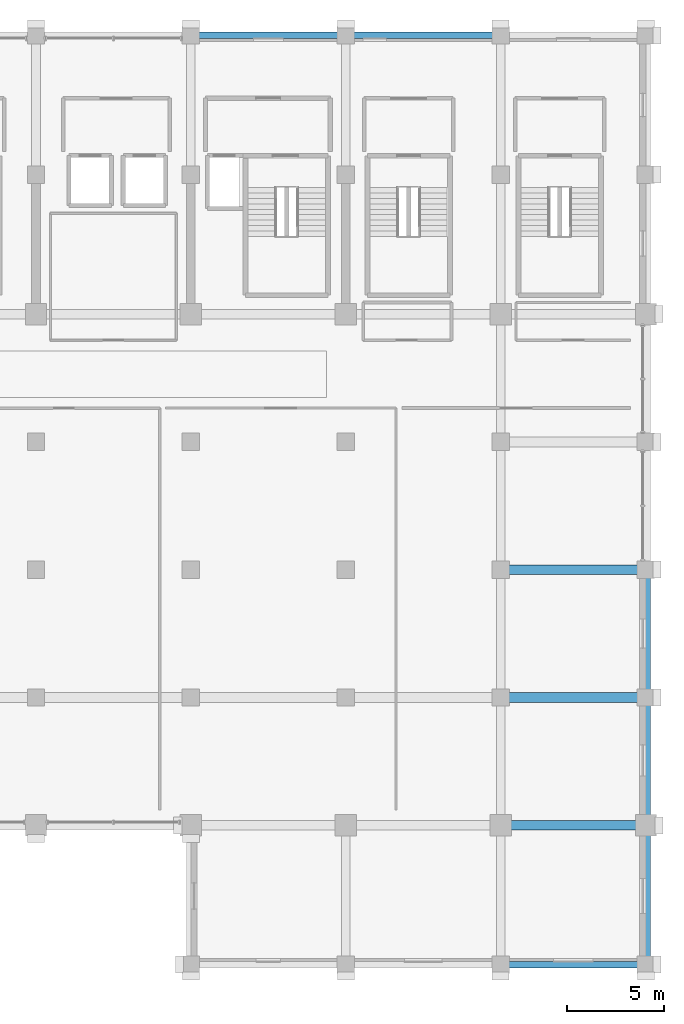
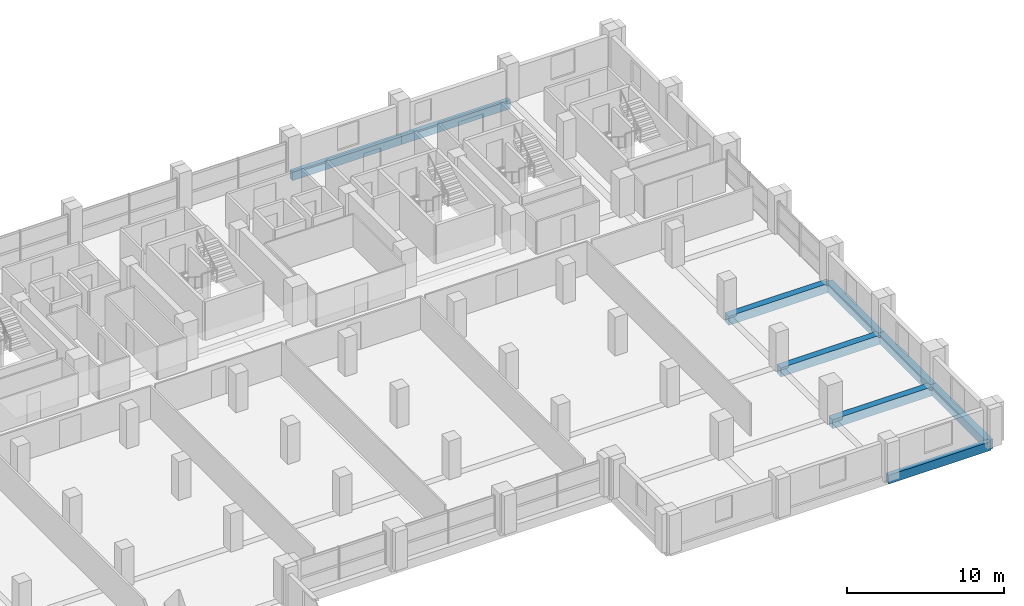
# One storey, part 13 of 21: 9 beams.
"""IFC4 building model written with IfcOpenShell, lengths in metres."""

from ifc_helpers import new_model, si_unit, direction, frame, origin, origin_2d, place, context, subcontext, project, spatial, rectangle, extrude, material, material_profile, profile_set, type_object, element, save


model = new_model("IFC4")

# Units and contexts
model_context = context("Model", 3, precision=1e-05, world=origin(), true_north=direction((0.0, 1.0)))
body_context = subcontext(model_context, "Body", "Model", "MODEL_VIEW")
ifc_project = project(units=[si_unit("LENGTHUNIT", "METRE"), si_unit("AREAUNIT", "SQUARE_METRE"), si_unit("VOLUMEUNIT", "CUBIC_METRE"), si_unit("PLANEANGLEUNIT", "RADIAN"), si_unit("MASSUNIT", "GRAM", prefix="KILO")], contexts=[model_context])

# Site, building, storey
site_placement = place(None, origin())
site = spatial("IfcSite", under=ifc_project, at=site_placement, CompositionType="ELEMENT")
building_placement = place(site_placement, origin())
building = spatial("IfcBuilding", under=site, at=building_placement, Name="Akrevak Sports Hall", CompositionType="ELEMENT")
storey_placement = place(building_placement, frame((0.0, 0.0, 34.050048828125)))
storey = spatial("IfcBuildingStorey", under=building, at=storey_placement, Name="L07", CompositionType="ELEMENT", Elevation=34.050048828125)

# Beams
ifc_material = material(Name="Concrete C40/50", Category="concrete")
ifc_material_profile_1 = material_profile(ifc_material, rectangle(XDim=0.449951171875, YDim=0.699951171875, at=origin_2d()), Name="BM 450x700", Category="concrete")
ifc_profile_set_1 = profile_set([ifc_material_profile_1], Name="Concrete C40/50")
beam_type_1 = type_object("IfcBeamType", Name="STR-BM-RC450x700", PredefinedType="BEAM", material=ifc_profile_set_1)
beam_1_placement = place(storey_placement, frame((115.5, 21.60009765625, -0.35009765625), z_axis=(0.0, 1.0, 0.0), x_axis=(-1.0, 0.0, 0.0)))
element("IfcBeam", 1, at=beam_1_placement, inside=storey, type_object=beam_type_1, Name="Girder 16/D-E (L07)", PredefinedType="BEAM", context=body_context, shape_type="SweptSolid", body=[
    extrude(rectangle(XDim=0.449951171875, YDim=0.699951171875, at=origin_2d()), origin(), (0.0, 0.0, 1.0), 7.199951171875),
])
beam_2_placement = place(storey_placement, frame((115.5, 28.800048828125, -0.35009765625), z_axis=(0.0, 1.0, 0.0), x_axis=(-1.0, 0.0, 0.0)))
element("IfcBeam", 2, at=beam_2_placement, inside=storey, type_object=beam_type_1, Name="Girder 16/E-F (L07)", PredefinedType="BEAM", context=body_context, shape_type="SweptSolid", body=[
    extrude(rectangle(XDim=0.449951171875, YDim=0.699951171875, at=origin_2d()), origin(), (0.0, 0.0, 1.0), 6.599853515625),
])
beam_3_placement = place(storey_placement, frame((115.5, 35.39990234375, -0.35009765625), z_axis=(0.0, 1.0, 0.0), x_axis=(-1.0, 0.0, 0.0)))
element("IfcBeam", 3, at=beam_3_placement, inside=storey, type_object=beam_type_1, Name="Girder 16/F-G (L07)", PredefinedType="BEAM", context=body_context, shape_type="SweptSolid", body=[
    extrude(rectangle(XDim=0.449951171875, YDim=0.699951171875, at=origin_2d()), origin(), (0.0, 0.0, 1.0), 6.60009765625),
])
ifc_material_profile_2 = material_profile(ifc_material, rectangle(XDim=0.5, YDim=0.699951171875, at=origin_2d()), Name="BM 500x700", Category="concrete")
ifc_profile_set_2 = profile_set([ifc_material_profile_2], Name="Concrete C40/50")
beam_type_2 = type_object("IfcBeamType", Name="STR-BM-RC500x700", PredefinedType="BEAM", material=ifc_profile_set_2)
for number, where, z_axis, x_axis, name in (
    (4, (108.0, 28.800048828125, -0.35009765625), (1.0, 0.0, 0.0), (0.0, 1.0, 0.0), "Girder E/15-16 (L07)"),
    (5, (108.0, 35.39990234375, -0.35009765625), (1.0, 0.0, 0.0), (0.0, 1.0, 0.0), "Girder F/15-16 (L07)"),
    (6, (108.0, 42.0, -0.35009765625), (1.0, 0.0, 0.0), (0.0, 1.0, 0.0), "Girder G/15-16 (L07)"),
):
    element("IfcBeam", number, at=place(storey_placement, frame(where, z_axis=z_axis, x_axis=x_axis)), inside=storey, type_object=beam_type_2, Name=name, PredefinedType="BEAM", context=body_context, shape_type="SweptSolid", body=[
        extrude(rectangle(XDim=0.5, YDim=0.699951171875, at=origin_2d()), origin(), (0.0, 0.0, 1.0), 7.5),
    ])
ifc_material_profile_3 = material_profile(ifc_material, rectangle(XDim=0.320068359375, YDim=0.679931640625, at=origin_2d()), Name="SPD 320x680", Category="concrete")
ifc_profile_set_3 = profile_set([ifc_material_profile_3], Name="Concrete C40/50")
beam_type_3 = type_object("IfcBeamType", Name="STR-SPD-RC320x680", PredefinedType="SPANDREL", material=ifc_profile_set_3)
beam_4_placement = place(storey_placement, frame((108.0, 21.60009765625, -0.340087890625), z_axis=(1.0, 0.0, 0.0), x_axis=(0.0, 1.0, 0.0)))
element("IfcBeam", 7, at=beam_4_placement, inside=storey, type_object=beam_type_3, Name="Girder D/15-16 (L07)", PredefinedType="SPANDREL", context=body_context, shape_type="SweptSolid", body=[
    extrude(rectangle(XDim=0.320068359375, YDim=0.679931640625, at=origin_2d()), origin(), (0.0, 0.0, 1.0), 7.5),
])
for number, where, z_axis, x_axis, name in (
    (8, (92.0, 69.60009765625, -0.340087890625), (1.0, 0.0, 0.0), (0.0, 1.0, 0.0), "Girder K/13-14 (L07)"),
    (9, (100.0, 69.60009765625, -0.340087890625), (1.0, 0.0, 0.0), (0.0, 1.0, 0.0), "Girder K/14-15 (L07)"),
):
    element("IfcBeam", number, at=place(storey_placement, frame(where, z_axis=z_axis, x_axis=x_axis)), inside=storey, type_object=beam_type_3, Name=name, PredefinedType="SPANDREL", context=body_context, shape_type="SweptSolid", body=[
        extrude(rectangle(XDim=0.320068359375, YDim=0.679931640625, at=origin_2d()), origin(), (0.0, 0.0, 1.0), 8.0),
    ])

save(model, "model.ifc")
